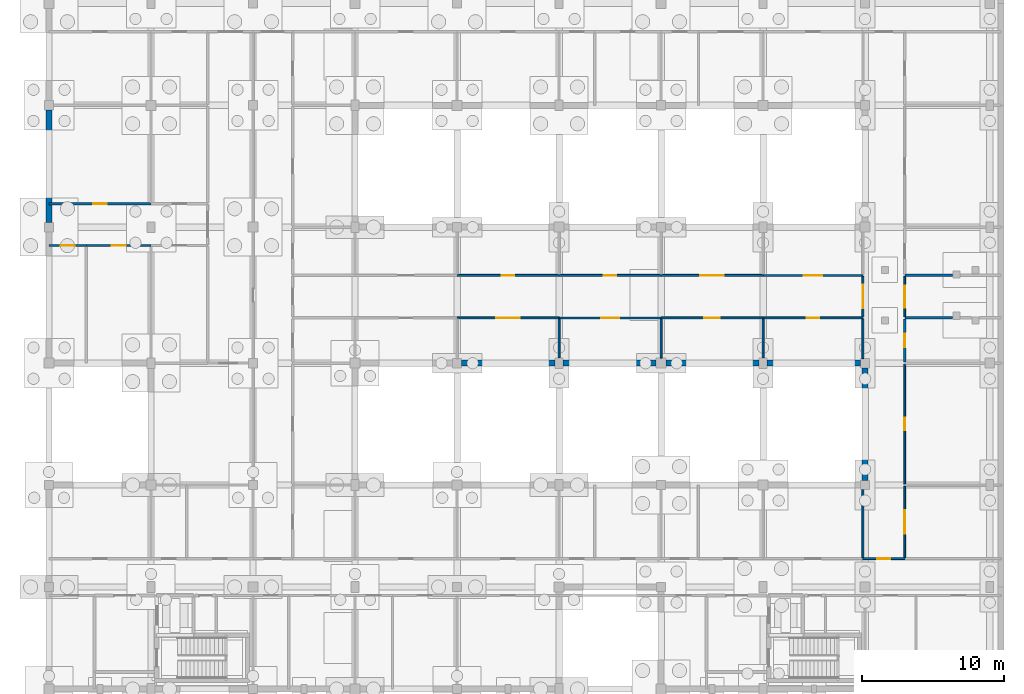
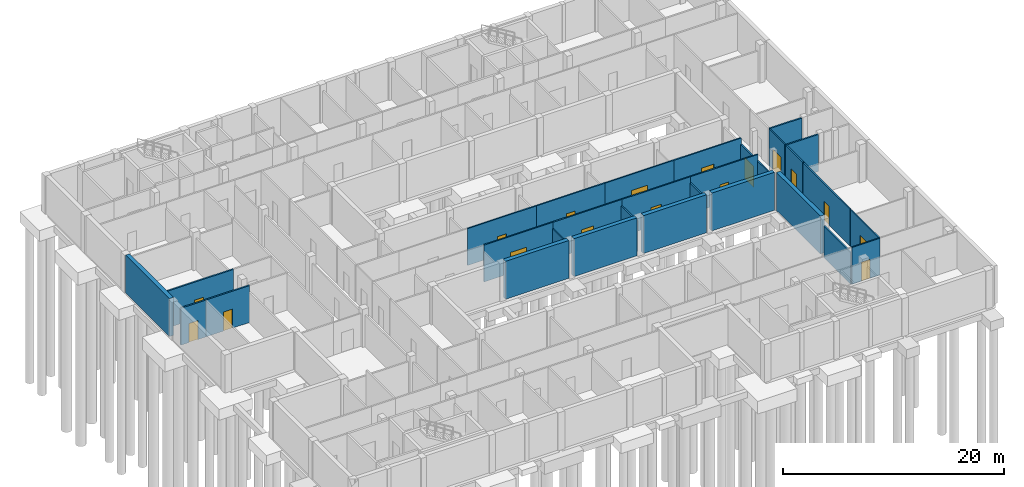
# One storey, part 10 of 17: 30 walls, 17 doors, 17 openings.
"""IFC4 building model written with IfcOpenShell, lengths in metres."""

from ifc_helpers import new_model, si_unit, direction, frame, frame_2d, origin, place, context, subcontext, project, spatial, rectangle, extrude, material, layer, layer_set, type_object, element, fill, save


model = new_model("IFC4")

# Units and contexts
model_context = context("Model", 3, precision=1e-05, world=origin(), true_north=direction((0.0, 1.0)))
body_context = subcontext(model_context, "Body", "Model", "MODEL_VIEW")
ifc_project = project(units=[si_unit("LENGTHUNIT", "METRE"), si_unit("AREAUNIT", "SQUARE_METRE"), si_unit("VOLUMEUNIT", "CUBIC_METRE"), si_unit("PLANEANGLEUNIT", "RADIAN"), si_unit("MASSUNIT", "GRAM", prefix="KILO")], contexts=[model_context])

# Site, building, storey
site_placement = place(None, origin())
site = spatial("IfcSite", under=ifc_project, at=site_placement, CompositionType="ELEMENT")
building_placement = place(site_placement, origin())
building = spatial("IfcBuilding", under=site, at=building_placement, Name="Hawrajan Terrace Health Centre", CompositionType="ELEMENT")
storey_placement = place(building_placement, frame((0.0, 0.0, -4.5)))
storey = spatial("IfcBuildingStorey", under=building, at=storey_placement, Name="B1", CompositionType="ELEMENT", Elevation=-4.5)

# Wall, opening, door
ifc_material_1 = material(Name="Gypsum board on acoustic stud framing")
ifc_layer_1 = layer(ifc_material_1, 0.139892578125)
ifc_layer_set_1 = layer_set([ifc_layer_1], Name="Gypsum board on acoustic stud framing")
wall_type_1 = type_object("IfcWallType", Name="ClinicalAcousticWall_140", PredefinedType="PARTITIONING", material=ifc_layer_set_1)
wall_1_placement = place(storey_placement, frame((33.39990234375, 30.39990234375, 0.0), z_axis=(0.0, 0.0, 1.0), x_axis=(1.0, 0.0, 0.0)))
wall_1 = element("IfcWall", 1, at=wall_1_placement, inside=storey, type_object=wall_type_1, Name="Interior wall IW-B1-0084", PredefinedType="PARTITIONING", context=body_context, shape_type="SweptSolid", body=[
    extrude(rectangle(XDim=7.2001953125, YDim=0.139892578125, at=frame_2d((3.60009765625, 0.0))), origin(), (0.0, 0.0, 1.0), 4.080078125),
])
opening_1_placement = place(wall_1_placement, frame((2.77001953125, 0.0, 0.0)))
opening_1 = element("IfcOpeningElement", 2, at=opening_1_placement, cuts=wall_1, Name="Opening D-B1-032", PredefinedType="OPENING", context=body_context, shape_type="SweptSolid", body=[
    extrude(rectangle(XDim=1.659912109375, YDim=2.300048828125, at=frame_2d((0.830078125, 1.14990234375))), frame((0.0, 0.079833984375, 0.0), z_axis=(0.0, -1.0, 0.0), x_axis=(1.0, 0.0, 0.0)), (0.0, 0.0, 1.0), 0.159912109375),
])
ifc_material_2 = material(Name="Hardwood acoustic clinical door leaf and frame", Category="wood")
door_type_1 = type_object("IfcDoorType", Name="RehabGymDoor_1660x2300", OperationType="DOUBLE_DOOR_SINGLE_SWING", PredefinedType="DOOR", material=ifc_material_2)
door_1_placement = place(opening_1_placement, origin())
door_1 = element("IfcDoor", 3, at=door_1_placement, inside=storey, type_object=door_type_1, Name="Interior door D-B1-032", OperationType="DOUBLE_DOOR_SINGLE_SWING", OverallHeight=2.300048828125, OverallWidth=1.659912109375, PredefinedType="DOOR", context=body_context, shape_type="SweptSolid", body=[
    extrude(rectangle(XDim=1.659912109375, YDim=2.300048828125, at=frame_2d((0.830078125, 1.14990234375))), frame((0.0, 0.02490234375, 0.0), z_axis=(0.0, -1.0, 0.0), x_axis=(1.0, 0.0, 0.0)), (0.0, 0.0, 1.0), 0.050048828125),
])
fill(opening_1, door_1)

wall_2_placement = place(storey_placement, frame((33.39990234375, 33.39990234375, 0.0), z_axis=(0.0, 0.0, 1.0), x_axis=(1.0, 0.0, 0.0)))
wall_2 = element("IfcWall", 4, at=wall_2_placement, inside=storey, type_object=wall_type_1, Name="Interior wall IW-B1-0086", PredefinedType="PARTITIONING", context=body_context, shape_type="SweptSolid", body=[
    extrude(rectangle(XDim=7.2001953125, YDim=0.139892578125, at=frame_2d((3.60009765625, 0.0))), origin(), (0.0, 0.0, 1.0), 4.080078125),
])
opening_2_placement = place(wall_2_placement, frame((3.14990234375, 0.0, 0.0)))
opening_2 = element("IfcOpeningElement", 5, at=opening_2_placement, cuts=wall_2, Name="Opening D-B1-033", PredefinedType="OPENING", context=body_context, shape_type="SweptSolid", body=[
    extrude(rectangle(XDim=0.89990234375, YDim=2.10009765625, at=frame_2d((0.449951171875, 1.050048828125))), frame((0.0, 0.079833984375, 0.0), z_axis=(0.0, -1.0, 0.0), x_axis=(1.0, 0.0, 0.0)), (0.0, 0.0, 1.0), 0.159912109375),
])
door_type_2 = type_object("IfcDoorType", Name="PatientWCDoor_900x2100", OperationType="NOTDEFINED", PredefinedType="DOOR", material=ifc_material_2)
door_2_placement = place(opening_2_placement, origin())
door_2 = element("IfcDoor", 6, at=door_2_placement, inside=storey, type_object=door_type_2, Name="Interior door D-B1-033", OperationType="SINGLE_SWING_LEFT", OverallHeight=2.10009765625, OverallWidth=0.89990234375, PredefinedType="DOOR", context=body_context, shape_type="SweptSolid", body=[
    extrude(rectangle(XDim=0.89990234375, YDim=2.10009765625, at=frame_2d((0.449951171875, 1.050048828125))), frame((0.0, 0.02490234375, 0.0), z_axis=(0.0, -1.0, 0.0), x_axis=(1.0, 0.0, 0.0)), (0.0, 0.0, 1.0), 0.050048828125),
])
fill(opening_2, door_2)

# Wall
wall_3_placement = place(storey_placement, frame((40.60009765625, 27.574951171875, 0.0), z_axis=(0.0, 0.0, 1.0), x_axis=(0.0, 1.0, 0.0)))
element("IfcWall", 7, at=wall_3_placement, inside=storey, type_object=wall_type_1, Name="Interior wall IW-B1-0095", PredefinedType="PARTITIONING", context=body_context, shape_type="SweptSolid", body=[
    extrude(rectangle(XDim=2.755126953125, YDim=0.139892578125, at=frame_2d((1.37744140625, 0.0))), origin(), (0.0, 0.0, 1.0), 3.39990234375),
])

# Wall, opening, door
wall_4_placement = place(storey_placement, frame((40.60009765625, 30.39990234375, 0.0), z_axis=(0.0, 0.0, 1.0), x_axis=(1.0, 0.0, 0.0)))
wall_4 = element("IfcWall", 8, at=wall_4_placement, inside=storey, type_object=wall_type_1, Name="Interior wall IW-B1-0096", PredefinedType="PARTITIONING", context=body_context, shape_type="SweptSolid", body=[
    extrude(rectangle(XDim=7.199951171875, YDim=0.139892578125, at=frame_2d((3.60009765625, 0.0))), origin(), (0.0, 0.0, 1.0), 4.080078125),
])
opening_3_placement = place(wall_4_placement, frame((2.9599609375, 0.0, 0.0)))
opening_3 = element("IfcOpeningElement", 9, at=opening_3_placement, cuts=wall_4, Name="Opening D-B1-034", PredefinedType="OPENING", context=body_context, shape_type="SweptSolid", body=[
    extrude(rectangle(XDim=1.280029296875, YDim=2.199951171875, at=frame_2d((0.64013671875, 1.10009765625))), frame((0.0, 0.079833984375, 0.0), z_axis=(0.0, -1.0, 0.0), x_axis=(1.0, 0.0, 0.0)), (0.0, 0.0, 1.0), 0.159912109375),
])
door_type_3 = type_object("IfcDoorType", Name="ExamSuiteDoor_1280x2200", OperationType="NOTDEFINED", PredefinedType="DOOR", material=ifc_material_2)
door_3_placement = place(opening_3_placement, origin())
door_3 = element("IfcDoor", 10, at=door_3_placement, inside=storey, type_object=door_type_3, Name="Interior door D-B1-034", OperationType="SINGLE_SWING_RIGHT", OverallHeight=2.199951171875, OverallWidth=1.280029296875, PredefinedType="DOOR", context=body_context, shape_type="SweptSolid", body=[
    extrude(rectangle(XDim=1.280029296875, YDim=2.199951171875, at=frame_2d((0.64013671875, 1.10009765625))), frame((0.0, 0.02490234375, 0.0), z_axis=(0.0, -1.0, 0.0), x_axis=(1.0, 0.0, 0.0)), (0.0, 0.0, 1.0), 0.050048828125),
])
fill(opening_3, door_3)

wall_5_placement = place(storey_placement, frame((40.60009765625, 33.39990234375, 0.0), z_axis=(0.0, 0.0, 1.0), x_axis=(1.0, 0.0, 0.0)))
wall_5 = element("IfcWall", 11, at=wall_5_placement, inside=storey, type_object=wall_type_1, Name="Interior wall IW-B1-0098", PredefinedType="PARTITIONING", context=body_context, shape_type="SweptSolid", body=[
    extrude(rectangle(XDim=7.199951171875, YDim=0.139892578125, at=frame_2d((3.60009765625, 0.0))), origin(), (0.0, 0.0, 1.0), 4.080078125),
])
opening_4_placement = place(wall_5_placement, frame((3.14990234375, 0.0, 0.0)))
opening_4 = element("IfcOpeningElement", 12, at=opening_4_placement, cuts=wall_5, Name="Opening D-B1-035", PredefinedType="OPENING", context=body_context, shape_type="SweptSolid", body=[
    extrude(rectangle(XDim=0.89990234375, YDim=2.10009765625, at=frame_2d((0.449951171875, 1.050048828125))), frame((0.0, 0.079833984375, 0.0), z_axis=(0.0, -1.0, 0.0), x_axis=(1.0, 0.0, 0.0)), (0.0, 0.0, 1.0), 0.159912109375),
])
door_4_placement = place(opening_4_placement, origin())
door_4 = element("IfcDoor", 13, at=door_4_placement, inside=storey, type_object=door_type_2, Name="Interior door D-B1-035", OperationType="SINGLE_SWING_LEFT", OverallHeight=2.10009765625, OverallWidth=0.89990234375, PredefinedType="DOOR", context=body_context, shape_type="SweptSolid", body=[
    extrude(rectangle(XDim=0.89990234375, YDim=2.10009765625, at=frame_2d((0.449951171875, 1.050048828125))), frame((0.0, 0.02490234375, 0.0), z_axis=(0.0, -1.0, 0.0), x_axis=(1.0, 0.0, 0.0)), (0.0, 0.0, 1.0), 0.050048828125),
])
fill(opening_4, door_4)

# Wall
wall_6_placement = place(storey_placement, frame((47.800048828125, 27.550048828125, 0.0), z_axis=(0.0, 0.0, 1.0), x_axis=(0.0, 1.0, 0.0)))
element("IfcWall", 14, at=wall_6_placement, inside=storey, type_object=wall_type_1, Name="Interior wall IW-B1-0112", PredefinedType="PARTITIONING", context=body_context, shape_type="SweptSolid", body=[
    extrude(rectangle(XDim=2.780029296875, YDim=0.139892578125, at=frame_2d((1.39013671875, 0.0))), origin(), (0.0, 0.0, 1.0), 3.39990234375),
])

# Wall, opening, door
wall_7_placement = place(storey_placement, frame((47.800048828125, 30.39990234375, 0.0), z_axis=(0.0, 0.0, 1.0), x_axis=(1.0, 0.0, 0.0)))
wall_7 = element("IfcWall", 15, at=wall_7_placement, inside=storey, type_object=wall_type_1, Name="Interior wall IW-B1-0113", PredefinedType="PARTITIONING", context=body_context, shape_type="SweptSolid", body=[
    extrude(rectangle(XDim=7.199951171875, YDim=0.139892578125, at=frame_2d((3.60009765625, 0.0))), origin(), (0.0, 0.0, 1.0), 4.080078125),
])
opening_5_placement = place(wall_7_placement, frame((3.050048828125, 0.0, 0.0)))
opening_5 = element("IfcOpeningElement", 16, at=opening_5_placement, cuts=wall_7, Name="Opening D-B1-036", PredefinedType="OPENING", context=body_context, shape_type="SweptSolid", body=[
    extrude(rectangle(XDim=1.10009765625, YDim=2.10009765625, at=frame_2d((0.550048828125, 1.050048828125))), frame((0.0, 0.079833984375, 0.0), z_axis=(0.0, -1.0, 0.0), x_axis=(1.0, 0.0, 0.0)), (0.0, 0.0, 1.0), 0.159912109375),
])
door_type_4 = type_object("IfcDoorType", Name="ConsultDoor_1100x2100", OperationType="NOTDEFINED", PredefinedType="DOOR", material=ifc_material_2)
door_5_placement = place(opening_5_placement, origin())
door_5 = element("IfcDoor", 17, at=door_5_placement, inside=storey, type_object=door_type_4, Name="Interior door D-B1-036", OperationType="SINGLE_SWING_RIGHT", OverallHeight=2.10009765625, OverallWidth=1.10009765625, PredefinedType="DOOR", context=body_context, shape_type="SweptSolid", body=[
    extrude(rectangle(XDim=1.10009765625, YDim=2.10009765625, at=frame_2d((0.550048828125, 1.050048828125))), frame((0.0, 0.02490234375, 0.0), z_axis=(0.0, -1.0, 0.0), x_axis=(1.0, 0.0, 0.0)), (0.0, 0.0, 1.0), 0.050048828125),
])
fill(opening_5, door_5)

wall_8_placement = place(storey_placement, frame((47.800048828125, 33.39990234375, 0.0), z_axis=(0.0, 0.0, 1.0), x_axis=(1.0, 0.0, 0.0)))
wall_8 = element("IfcWall", 18, at=wall_8_placement, inside=storey, type_object=wall_type_1, Name="Interior wall IW-B1-0115", PredefinedType="PARTITIONING", context=body_context, shape_type="SweptSolid", body=[
    extrude(rectangle(XDim=7.199951171875, YDim=0.139892578125, at=frame_2d((3.60009765625, 0.0))), origin(), (0.0, 0.0, 1.0), 4.080078125),
])
opening_6_placement = place(wall_8_placement, frame((2.77001953125, 0.0, 0.0)))
opening_6 = element("IfcOpeningElement", 19, at=opening_6_placement, cuts=wall_8, Name="Opening D-B1-037", PredefinedType="OPENING", context=body_context, shape_type="SweptSolid", body=[
    extrude(rectangle(XDim=1.659912109375, YDim=2.300048828125, at=frame_2d((0.830078125, 1.14990234375))), frame((0.0, 0.079833984375, 0.0), z_axis=(0.0, -1.0, 0.0), x_axis=(1.0, 0.0, 0.0)), (0.0, 0.0, 1.0), 0.159912109375),
])
door_6_placement = place(opening_6_placement, origin())
door_6 = element("IfcDoor", 20, at=door_6_placement, inside=storey, type_object=door_type_1, Name="Interior door D-B1-037", OperationType="DOUBLE_DOOR_SINGLE_SWING", OverallHeight=2.300048828125, OverallWidth=1.659912109375, PredefinedType="DOOR", context=body_context, shape_type="SweptSolid", body=[
    extrude(rectangle(XDim=1.659912109375, YDim=2.300048828125, at=frame_2d((0.830078125, 1.14990234375))), frame((0.0, 0.02490234375, 0.0), z_axis=(0.0, -1.0, 0.0), x_axis=(1.0, 0.0, 0.0)), (0.0, 0.0, 1.0), 0.050048828125),
])
fill(opening_6, door_6)

# Wall
wall_9_placement = place(storey_placement, frame((55.0, 27.574951171875, 0.0), z_axis=(0.0, 0.0, 1.0), x_axis=(0.0, 1.0, 0.0)))
element("IfcWall", 21, at=wall_9_placement, inside=storey, type_object=wall_type_1, Name="Interior wall IW-B1-0127", PredefinedType="PARTITIONING", context=body_context, shape_type="SweptSolid", body=[
    extrude(rectangle(XDim=2.755126953125, YDim=0.139892578125, at=frame_2d((1.37744140625, 0.0))), origin(), (0.0, 0.0, 1.0), 3.39990234375),
])

# Wall, opening, door
wall_10_placement = place(storey_placement, frame((55.0, 30.39990234375, 0.0), z_axis=(0.0, 0.0, 1.0), x_axis=(1.0, 0.0, 0.0)))
wall_10 = element("IfcWall", 22, at=wall_10_placement, inside=storey, type_object=wall_type_1, Name="Interior wall IW-B1-0128", PredefinedType="PARTITIONING", context=body_context, shape_type="SweptSolid", body=[
    extrude(rectangle(XDim=7.050048828125, YDim=0.139892578125, at=frame_2d((3.52490234375, 0.0))), origin(), (0.0, 0.0, 1.0), 4.080078125),
])
opening_7_placement = place(wall_10_placement, frame((3.074951171875, 0.0, 0.0)))
opening_7 = element("IfcOpeningElement", 23, at=opening_7_placement, cuts=wall_10, Name="Opening D-B1-038", PredefinedType="OPENING", context=body_context, shape_type="SweptSolid", body=[
    extrude(rectangle(XDim=0.89990234375, YDim=2.10009765625, at=frame_2d((0.449951171875, 1.050048828125))), frame((0.0, 0.079833984375, 0.0), z_axis=(0.0, -1.0, 0.0), x_axis=(1.0, 0.0, 0.0)), (0.0, 0.0, 1.0), 0.159912109375),
])
door_7_placement = place(opening_7_placement, origin())
door_7 = element("IfcDoor", 24, at=door_7_placement, inside=storey, type_object=door_type_2, Name="Interior door D-B1-038", OperationType="SINGLE_SWING_RIGHT", OverallHeight=2.10009765625, OverallWidth=0.89990234375, PredefinedType="DOOR", context=body_context, shape_type="SweptSolid", body=[
    extrude(rectangle(XDim=0.89990234375, YDim=2.10009765625, at=frame_2d((0.449951171875, 1.050048828125))), frame((0.0, 0.02490234375, 0.0), z_axis=(0.0, -1.0, 0.0), x_axis=(1.0, 0.0, 0.0)), (0.0, 0.0, 1.0), 0.050048828125),
])
fill(opening_7, door_7)

wall_11_placement = place(storey_placement, frame((55.0, 33.39990234375, 0.0), z_axis=(0.0, 0.0, 1.0), x_axis=(1.0, 0.0, 0.0)))
wall_11 = element("IfcWall", 25, at=wall_11_placement, inside=storey, type_object=wall_type_1, Name="Interior wall IW-B1-0130", PredefinedType="PARTITIONING", context=body_context, shape_type="SweptSolid", body=[
    extrude(rectangle(XDim=7.050048828125, YDim=0.139892578125, at=frame_2d((3.52490234375, 0.0))), origin(), (0.0, 0.0, 1.0), 4.080078125),
])
opening_8_placement = place(wall_11_placement, frame((2.885009765625, 0.0, 0.0)))
opening_8 = element("IfcOpeningElement", 26, at=opening_8_placement, cuts=wall_11, Name="Opening D-B1-039", PredefinedType="OPENING", context=body_context, shape_type="SweptSolid", body=[
    extrude(rectangle(XDim=1.280029296875, YDim=2.199951171875, at=frame_2d((0.64013671875, 1.10009765625))), frame((0.0, 0.079833984375, 0.0), z_axis=(0.0, -1.0, 0.0), x_axis=(1.0, 0.0, 0.0)), (0.0, 0.0, 1.0), 0.159912109375),
])
door_8_placement = place(opening_8_placement, origin())
door_8 = element("IfcDoor", 27, at=door_8_placement, inside=storey, type_object=door_type_3, Name="Interior door D-B1-039", OperationType="SINGLE_SWING_LEFT", OverallHeight=2.199951171875, OverallWidth=1.280029296875, PredefinedType="DOOR", context=body_context, shape_type="SweptSolid", body=[
    extrude(rectangle(XDim=1.280029296875, YDim=2.199951171875, at=frame_2d((0.64013671875, 1.10009765625))), frame((0.0, 0.02490234375, 0.0), z_axis=(0.0, -1.0, 0.0), x_axis=(1.0, 0.0, 0.0)), (0.0, 0.0, 1.0), 0.050048828125),
])
fill(opening_8, door_8)

# Wall
wall_12_placement = place(storey_placement, frame((62.050048828125, 13.469970703125, 0.0), z_axis=(0.0, 0.0, 1.0), x_axis=(0.0, 1.0, 0.0)))
element("IfcWall", 28, at=wall_12_placement, inside=storey, type_object=wall_type_1, Name="Interior wall IW-B1-0135", PredefinedType="PARTITIONING", context=body_context, shape_type="SweptSolid", body=[
    extrude(rectangle(XDim=4.804931640625, YDim=0.139892578125, at=frame_2d((2.40234375, 0.0))), origin(), (0.0, 0.0, 1.0), 3.5),
])

# Wall, opening, door
wall_13_placement = place(storey_placement, frame((62.050048828125, 13.39990234375, 0.0), z_axis=(0.0, 0.0, 1.0), x_axis=(1.0, 0.0, 0.0)))
wall_13 = element("IfcWall", 29, at=wall_13_placement, inside=storey, type_object=wall_type_1, Name="Interior wall IW-B1-0136", PredefinedType="PARTITIONING", context=body_context, shape_type="SweptSolid", body=[
    extrude(rectangle(XDim=2.949951171875, YDim=0.139892578125, at=frame_2d((1.47509765625, 0.0))), origin(), (0.0, 0.0, 1.0), 4.080078125),
])
opening_9_placement = place(wall_13_placement, frame((1.02490234375, 0.0, 0.0)))
opening_9 = element("IfcOpeningElement", 30, at=opening_9_placement, cuts=wall_13, Name="Opening D-B1-017", PredefinedType="OPENING", context=body_context, shape_type="SweptSolid", body=[
    extrude(rectangle(XDim=0.89990234375, YDim=2.10009765625, at=frame_2d((0.449951171875, 1.050048828125))), frame((0.0, 0.079833984375, 0.0), z_axis=(0.0, -1.0, 0.0), x_axis=(1.0, 0.0, 0.0)), (0.0, 0.0, 1.0), 0.159912109375),
])
door_9_placement = place(opening_9_placement, origin())
door_9 = element("IfcDoor", 31, at=door_9_placement, inside=storey, type_object=door_type_2, Name="Interior door D-B1-017", OperationType="SINGLE_SWING_LEFT", OverallHeight=2.10009765625, OverallWidth=0.89990234375, PredefinedType="DOOR", context=body_context, shape_type="SweptSolid", body=[
    extrude(rectangle(XDim=0.89990234375, YDim=2.10009765625, at=frame_2d((0.449951171875, 1.050048828125))), frame((0.0, 0.02490234375, 0.0), z_axis=(0.0, -1.0, 0.0), x_axis=(1.0, 0.0, 0.0)), (0.0, 0.0, 1.0), 0.050048828125),
])
fill(opening_9, door_9)

# Wall
wall_14_placement = place(storey_placement, frame((62.050048828125, 27.52490234375, 0.0), z_axis=(0.0, 0.0, 1.0), x_axis=(0.0, 1.0, 0.0)))
element("IfcWall", 32, at=wall_14_placement, inside=storey, type_object=wall_type_1, Name="Interior wall IW-B1-0137", PredefinedType="PARTITIONING", context=body_context, shape_type="SweptSolid", body=[
    extrude(rectangle(XDim=2.80517578125, YDim=0.139892578125, at=frame_2d((1.402587890625, 0.0))), origin(), (0.0, 0.0, 1.0), 3.39990234375),
])

# Wall, opening, door
wall_15_placement = place(storey_placement, frame((62.050048828125, 30.469970703125, 0.0), z_axis=(0.0, 0.0, 1.0), x_axis=(0.0, 1.0, 0.0)))
wall_15 = element("IfcWall", 33, at=wall_15_placement, inside=storey, type_object=wall_type_1, Name="Interior wall IW-B1-0138", PredefinedType="PARTITIONING", context=body_context, shape_type="SweptSolid", body=[
    extrude(rectangle(XDim=2.860107421875, YDim=0.139892578125, at=frame_2d((1.43017578125, 0.0))), origin(), (0.0, 0.0, 1.0), 3.39990234375),
])
opening_10_placement = place(wall_15_placement, frame((0.60009765625, 0.0, 0.0)))
opening_10 = element("IfcOpeningElement", 34, at=opening_10_placement, cuts=wall_15, Name="Opening D-B1-019", PredefinedType="OPENING", context=body_context, shape_type="SweptSolid", body=[
    extrude(rectangle(XDim=1.659912109375, YDim=2.300048828125, at=frame_2d((0.830078125, 1.14990234375))), frame((0.0, 0.079833984375, 0.0), z_axis=(0.0, -1.0, 0.0), x_axis=(1.0, 0.0, 0.0)), (0.0, 0.0, 1.0), 0.159912109375),
])
door_10_placement = place(opening_10_placement, origin())
door_10 = element("IfcDoor", 35, at=door_10_placement, inside=storey, type_object=door_type_1, Name="Interior door D-B1-019", OperationType="DOUBLE_DOOR_SINGLE_SWING", OverallHeight=2.300048828125, OverallWidth=1.659912109375, PredefinedType="DOOR", context=body_context, shape_type="SweptSolid", body=[
    extrude(rectangle(XDim=1.659912109375, YDim=2.300048828125, at=frame_2d((0.830078125, 1.14990234375))), frame((0.0, 0.02490234375, 0.0), z_axis=(0.0, -1.0, 0.0), x_axis=(1.0, 0.0, 0.0)), (0.0, 0.0, 1.0), 0.050048828125),
])
fill(opening_10, door_10)

wall_16_placement = place(storey_placement, frame((65.0, 13.469970703125, 0.0), z_axis=(0.0, 0.0, 1.0), x_axis=(0.0, 1.0, 0.0)))
wall_16 = element("IfcWall", 36, at=wall_16_placement, inside=storey, type_object=wall_type_1, Name="Interior wall IW-B1-0145", PredefinedType="PARTITIONING", context=body_context, shape_type="SweptSolid", body=[
    extrude(rectangle(XDim=5.06005859375, YDim=0.139892578125, at=frame_2d((2.530029296875, 0.0))), origin(), (0.0, 0.0, 1.0), 4.080078125),
])
opening_11_placement = place(wall_16_placement, frame((1.699951171875, 0.0, 0.0)))
opening_11 = element("IfcOpeningElement", 37, at=opening_11_placement, cuts=wall_16, Name="Opening D-B1-072", PredefinedType="OPENING", context=body_context, shape_type="SweptSolid", body=[
    extrude(rectangle(XDim=1.659912109375, YDim=2.300048828125, at=frame_2d((0.830078125, 1.14990234375))), frame((0.0, 0.079833984375, 0.0), z_axis=(0.0, -1.0, 0.0), x_axis=(1.0, 0.0, 0.0)), (0.0, 0.0, 1.0), 0.159912109375),
])
door_11_placement = place(opening_11_placement, origin())
door_11 = element("IfcDoor", 38, at=door_11_placement, inside=storey, type_object=door_type_1, Name="Interior door D-B1-072", OperationType="DOUBLE_DOOR_SINGLE_SWING", OverallHeight=2.300048828125, OverallWidth=1.659912109375, PredefinedType="DOOR", context=body_context, shape_type="SweptSolid", body=[
    extrude(rectangle(XDim=1.659912109375, YDim=2.300048828125, at=frame_2d((0.830078125, 1.14990234375))), frame((0.0, 0.02490234375, 0.0), z_axis=(0.0, -1.0, 0.0), x_axis=(1.0, 0.0, 0.0)), (0.0, 0.0, 1.0), 0.050048828125),
])
fill(opening_11, door_11)

wall_17_placement = place(storey_placement, frame((65.0, 18.669921875, 0.0), z_axis=(0.0, 0.0, 1.0), x_axis=(0.0, 1.0, 0.0)))
wall_17 = element("IfcWall", 39, at=wall_17_placement, inside=storey, type_object=wall_type_1, Name="Interior wall IW-B1-0147", PredefinedType="PARTITIONING", context=body_context, shape_type="SweptSolid", body=[
    extrude(rectangle(XDim=8.4599609375, YDim=0.139892578125, at=frame_2d((4.22998046875, 0.0))), origin(), (0.0, 0.0, 1.0), 4.080078125),
])
opening_12_placement = place(wall_17_placement, frame((3.780029296875, 0.0, 0.0)))
opening_12 = element("IfcOpeningElement", 40, at=opening_12_placement, cuts=wall_17, Name="Opening D-B1-073", PredefinedType="OPENING", context=body_context, shape_type="SweptSolid", body=[
    extrude(rectangle(XDim=0.89990234375, YDim=2.10009765625, at=frame_2d((0.449951171875, 1.050048828125))), frame((0.0, 0.079833984375, 0.0), z_axis=(0.0, -1.0, 0.0), x_axis=(1.0, 0.0, 0.0)), (0.0, 0.0, 1.0), 0.159912109375),
])
door_12_placement = place(opening_12_placement, origin())
door_12 = element("IfcDoor", 41, at=door_12_placement, inside=storey, type_object=door_type_2, Name="Interior door D-B1-073", OperationType="SINGLE_SWING_LEFT", OverallHeight=2.10009765625, OverallWidth=0.89990234375, PredefinedType="DOOR", context=body_context, shape_type="SweptSolid", body=[
    extrude(rectangle(XDim=0.89990234375, YDim=2.10009765625, at=frame_2d((0.449951171875, 1.050048828125))), frame((0.0, 0.02490234375, 0.0), z_axis=(0.0, -1.0, 0.0), x_axis=(1.0, 0.0, 0.0)), (0.0, 0.0, 1.0), 0.050048828125),
])
fill(opening_12, door_12)

wall_18_placement = place(storey_placement, frame((65.0, 30.469970703125, 0.0), z_axis=(0.0, 0.0, 1.0), x_axis=(0.0, 1.0, 0.0)))
wall_18 = element("IfcWall", 42, at=wall_18_placement, inside=storey, type_object=wall_type_1, Name="Interior wall IW-B1-0153", PredefinedType="PARTITIONING", context=body_context, shape_type="SweptSolid", body=[
    extrude(rectangle(XDim=2.860107421875, YDim=0.139892578125, at=frame_2d((1.43017578125, 0.0))), origin(), (0.0, 0.0, 1.0), 4.080078125),
])
opening_13_placement = place(wall_18_placement, frame((0.659912109375, 0.0, 0.0)))
opening_13 = element("IfcOpeningElement", 43, at=opening_13_placement, cuts=wall_18, Name="Opening D-B1-020", PredefinedType="OPENING", context=body_context, shape_type="SweptSolid", body=[
    extrude(rectangle(XDim=1.5400390625, YDim=2.25, at=frame_2d((0.77001953125, 1.125))), frame((0.0, 0.079833984375, 0.0), z_axis=(0.0, -1.0, 0.0), x_axis=(1.0, 0.0, 0.0)), (0.0, 0.0, 1.0), 0.159912109375),
])
door_type_5 = type_object("IfcDoorType", Name="RecoveryBayDoor_1540x2250", OperationType="DOUBLE_DOOR_SINGLE_SWING", PredefinedType="DOOR", material=ifc_material_2)
door_13_placement = place(opening_13_placement, origin())
door_13 = element("IfcDoor", 44, at=door_13_placement, inside=storey, type_object=door_type_5, Name="Interior door D-B1-020", OperationType="DOUBLE_DOOR_SINGLE_SWING", OverallHeight=2.25, OverallWidth=1.5400390625, PredefinedType="DOOR", context=body_context, shape_type="SweptSolid", body=[
    extrude(rectangle(XDim=1.5400390625, YDim=2.25, at=frame_2d((0.77001953125, 1.125))), frame((0.0, 0.02490234375, 0.0), z_axis=(0.0, -1.0, 0.0), x_axis=(1.0, 0.0, 0.0)), (0.0, 0.0, 1.0), 0.050048828125),
])
fill(opening_13, door_13)

ifc_layer_2 = layer(ifc_material_1, 0.159912109375)
ifc_layer_set_2 = layer_set([ifc_layer_2], Name="Gypsum board on acoustic stud framing")
wall_type_2 = type_object("IfcWallType", Name="CorridorFireWall_160", PredefinedType="PARTITIONING", material=ifc_layer_set_2)
wall_19_placement = place(storey_placement, frame((4.60009765625, 35.5, 0.0), z_axis=(0.0, 0.0, 1.0), x_axis=(1.0, 0.0, 0.0)))
wall_19 = element("IfcWall", 45, at=wall_19_placement, inside=storey, type_object=wall_type_2, Name="Interior wall IW-B1-0003", PredefinedType="PARTITIONING", context=body_context, shape_type="SweptSolid", body=[
    extrude(rectangle(XDim=2.635009765625, YDim=0.159912109375, at=frame_2d((1.3173828125, 0.0))), origin(), (0.0, 0.0, 1.0), 4.080078125),
])
opening_14_placement = place(wall_19_placement, frame((0.83740234375, 0.0, 0.0)))
opening_14 = element("IfcOpeningElement", 46, at=opening_14_placement, cuts=wall_19, Name="Opening D-B1-040", PredefinedType="OPENING", context=body_context, shape_type="SweptSolid", body=[
    extrude(rectangle(XDim=0.9599609375, YDim=2.10009765625, at=frame_2d((0.47998046875, 1.050048828125))), frame((0.0, 0.08984375, 0.0), z_axis=(0.0, -1.0, 0.0), x_axis=(1.0, 0.0, 0.0)), (0.0, 0.0, 1.0), 0.179931640625),
])
ifc_material_3 = material(Name="Timber-veneered acoustic fire-resisting door assembly", Category="wood")
door_type_6 = type_object("IfcDoorType", Name="ClinicalFireDoor_960x2100", OperationType="NOTDEFINED", PredefinedType="DOOR", material=ifc_material_3)
door_14_placement = place(opening_14_placement, origin())
door_14 = element("IfcDoor", 47, at=door_14_placement, inside=storey, type_object=door_type_6, Name="Interior door D-B1-040", OperationType="SINGLE_SWING_RIGHT", OverallHeight=2.10009765625, OverallWidth=0.9599609375, PredefinedType="DOOR", context=body_context, shape_type="SweptSolid", body=[
    extrude(rectangle(XDim=0.9599609375, YDim=2.10009765625, at=frame_2d((0.47998046875, 1.050048828125))), frame((0.0, 0.02490234375, 0.0), z_axis=(0.0, -1.0, 0.0), x_axis=(1.0, 0.0, 0.0)), (0.0, 0.0, 1.0), 0.050048828125),
])
fill(opening_14, door_14)

wall_20_placement = place(storey_placement, frame((4.60009765625, 38.449951171875, 0.0), z_axis=(0.0, 0.0, 1.0), x_axis=(1.0, 0.0, 0.0)))
wall_20 = element("IfcWall", 48, at=wall_20_placement, inside=storey, type_object=wall_type_2, Name="Interior wall IW-B1-0004", PredefinedType="PARTITIONING", context=body_context, shape_type="SweptSolid", body=[
    extrude(rectangle(XDim=7.199951171875, YDim=0.159912109375, at=frame_2d((3.60009765625, 0.0))), origin(), (0.0, 0.0, 1.0), 4.080078125),
])
opening_15_placement = place(wall_20_placement, frame((3.1201171875, 0.0, 0.0)))
opening_15 = element("IfcOpeningElement", 49, at=opening_15_placement, cuts=wall_20, Name="Opening D-B1-042", PredefinedType="OPENING", context=body_context, shape_type="SweptSolid", body=[
    extrude(rectangle(XDim=0.9599609375, YDim=2.10009765625, at=frame_2d((0.47998046875, 1.050048828125))), frame((0.0, 0.08984375, 0.0), z_axis=(0.0, -1.0, 0.0), x_axis=(1.0, 0.0, 0.0)), (0.0, 0.0, 1.0), 0.179931640625),
])
door_15_placement = place(opening_15_placement, origin())
door_15 = element("IfcDoor", 50, at=door_15_placement, inside=storey, type_object=door_type_6, Name="Interior door D-B1-042", OperationType="SINGLE_SWING_RIGHT", OverallHeight=2.10009765625, OverallWidth=0.9599609375, PredefinedType="DOOR", context=body_context, shape_type="SweptSolid", body=[
    extrude(rectangle(XDim=0.9599609375, YDim=2.10009765625, at=frame_2d((0.47998046875, 1.050048828125))), frame((0.0, 0.02490234375, 0.0), z_axis=(0.0, -1.0, 0.0), x_axis=(1.0, 0.0, 0.0)), (0.0, 0.0, 1.0), 0.050048828125),
])
fill(opening_15, door_15)

wall_21_placement = place(storey_placement, frame((7.235107421875, 35.5, 0.0), z_axis=(0.0, 0.0, 1.0), x_axis=(1.0, 0.0, 0.0)))
wall_21 = element("IfcWall", 51, at=wall_21_placement, inside=storey, type_object=wall_type_2, Name="Interior wall IW-B1-0009", PredefinedType="PARTITIONING", context=body_context, shape_type="SweptSolid", body=[
    extrude(rectangle(XDim=4.56494140625, YDim=0.159912109375, at=frame_2d((2.282470703125, 0.0))), origin(), (0.0, 0.0, 1.0), 4.080078125),
])
opening_16_placement = place(wall_21_placement, frame((1.802490234375, 0.0, 0.0)))
opening_16 = element("IfcOpeningElement", 52, at=opening_16_placement, cuts=wall_21, Name="Opening D-B1-041", PredefinedType="OPENING", context=body_context, shape_type="SweptSolid", body=[
    extrude(rectangle(XDim=0.9599609375, YDim=2.10009765625, at=frame_2d((0.47998046875, 1.050048828125))), frame((0.0, 0.08984375, 0.0), z_axis=(0.0, -1.0, 0.0), x_axis=(1.0, 0.0, 0.0)), (0.0, 0.0, 1.0), 0.179931640625),
])
door_16_placement = place(opening_16_placement, origin())
door_16 = element("IfcDoor", 53, at=door_16_placement, inside=storey, type_object=door_type_6, Name="Interior door D-B1-041", OperationType="SINGLE_SWING_LEFT", OverallHeight=2.10009765625, OverallWidth=0.9599609375, PredefinedType="DOOR", context=body_context, shape_type="SweptSolid", body=[
    extrude(rectangle(XDim=0.9599609375, YDim=2.10009765625, at=frame_2d((0.47998046875, 1.050048828125))), frame((0.0, 0.02490234375, 0.0), z_axis=(0.0, -1.0, 0.0), x_axis=(1.0, 0.0, 0.0)), (0.0, 0.0, 1.0), 0.050048828125),
])
fill(opening_16, door_16)

wall_22_placement = place(storey_placement, frame((65.0, 27.27001953125, 0.0), z_axis=(0.0, 0.0, 1.0), x_axis=(0.0, 1.0, 0.0)))
wall_22 = element("IfcWall", 54, at=wall_22_placement, inside=storey, type_object=wall_type_2, Name="Interior wall IW-B1-0150", PredefinedType="PARTITIONING", context=body_context, shape_type="SweptSolid", body=[
    extrude(rectangle(XDim=3.06005859375, YDim=0.159912109375, at=frame_2d((1.530029296875, 0.0))), origin(), (0.0, 0.0, 1.0), 4.080078125),
])
opening_17_placement = place(wall_22_placement, frame((1.050048828125, 0.0, 0.0)))
opening_17 = element("IfcOpeningElement", 55, at=opening_17_placement, cuts=wall_22, Name="Opening D-B1-074", PredefinedType="OPENING", context=body_context, shape_type="SweptSolid", body=[
    extrude(rectangle(XDim=0.9599609375, YDim=2.10009765625, at=frame_2d((0.47998046875, 1.050048828125))), frame((0.0, 0.08984375, 0.0), z_axis=(0.0, -1.0, 0.0), x_axis=(1.0, 0.0, 0.0)), (0.0, 0.0, 1.0), 0.179931640625),
])
door_17_placement = place(opening_17_placement, origin())
door_17 = element("IfcDoor", 56, at=door_17_placement, inside=storey, type_object=door_type_6, Name="Interior door D-B1-074", OperationType="SINGLE_SWING_RIGHT", OverallHeight=2.10009765625, OverallWidth=0.9599609375, PredefinedType="DOOR", context=body_context, shape_type="SweptSolid", body=[
    extrude(rectangle(XDim=0.9599609375, YDim=2.10009765625, at=frame_2d((0.47998046875, 1.050048828125))), frame((0.0, 0.02490234375, 0.0), z_axis=(0.0, -1.0, 0.0), x_axis=(1.0, 0.0, 0.0)), (0.0, 0.0, 1.0), 0.050048828125),
])
fill(opening_17, door_17)

# Walls
for number, where, z_axis, x_axis, name in (
    (57, (65.0, 30.39990234375, 0.0), (0.0, 0.0, 1.0), (1.0, 0.0, 0.0), "Interior wall IW-B1-0154"),
    (58, (65.0, 33.39990234375, 0.0), (0.0, 0.0, 1.0), (1.0, 0.0, 0.0), "Interior wall IW-B1-0158"),
):
    element("IfcWall", number, at=place(storey_placement, frame(where, z_axis=z_axis, x_axis=x_axis)), inside=storey, type_object=wall_type_2, Name=name, PredefinedType="PARTITIONING", context=body_context, shape_type="SweptSolid", body=[
        extrude(rectangle(XDim=3.3701171875, YDim=0.159912109375, at=frame_2d((1.68505859375, 0.0))), origin(), (0.0, 0.0, 1.0), 4.080078125),
    ])
ifc_material_4 = material(Name="Concrete C40/50", Category="concrete")
ifc_layer_3 = layer(ifc_material_4, 0.419921875)
ifc_layer_set_3 = layer_set([ifc_layer_3], Name="Concrete C40/50")
wall_type_3 = type_object("IfcWallType", Name="RetainingWall_RC420", PredefinedType="USERDEFINED", material=ifc_layer_set_3)
wall_23_placement = place(storey_placement, frame((4.60009765625, 37.125, 0.0), z_axis=(0.0, 0.0, 1.0), x_axis=(0.0, 1.0, 0.0)))
element("IfcWall", 59, at=wall_23_placement, inside=storey, type_object=wall_type_3, Name="Exterior wall EW-B1-V00-04-1", ObjectType="RETAINING WALL", PredefinedType="USERDEFINED", context=body_context, shape_type="SweptSolid", body=[
    extrude(rectangle(XDim=7.949951171875, YDim=0.419921875, at=frame_2d((3.97509765625, 0.0))), origin(), (0.0, 0.0, 1.0), 4.199951171875),
])
wall_24_placement = place(storey_placement, frame((33.72509765625, 27.199951171875, 0.0), z_axis=(0.0, 0.0, 1.0), x_axis=(1.0, 0.0, 0.0)))
element("IfcWall", 60, at=wall_24_placement, inside=storey, type_object=wall_type_3, Name="Exterior wall EW-B1-H04-03-1", ObjectType="RETAINING WALL", PredefinedType="USERDEFINED", context=body_context, shape_type="SweptSolid", body=[
    extrude(rectangle(XDim=6.599853515625, YDim=0.419921875, at=frame_2d((3.2998046875, 0.0))), origin(), (0.0, 0.0, 1.0), 4.199951171875),
])
wall_25_placement = place(storey_placement, frame((40.875, 27.199951171875, 0.0), z_axis=(0.0, 0.0, 1.0), x_axis=(1.0, 0.0, 0.0)))
element("IfcWall", 61, at=wall_25_placement, inside=storey, type_object=wall_type_3, Name="Exterior wall EW-B1-H05-03-1", ObjectType="RETAINING WALL", PredefinedType="USERDEFINED", context=body_context, shape_type="SweptSolid", body=[
    extrude(rectangle(XDim=6.574951171875, YDim=0.419921875, at=frame_2d((3.28759765625, 0.0))), origin(), (0.0, 0.0, 1.0), 4.199951171875),
])
wall_26_placement = place(storey_placement, frame((48.14990234375, 27.199951171875, 0.0), z_axis=(0.0, 0.0, 1.0), x_axis=(1.0, 0.0, 0.0)))
element("IfcWall", 62, at=wall_26_placement, inside=storey, type_object=wall_type_3, Name="Exterior wall EW-B1-H06-03-1", ObjectType="RETAINING WALL", PredefinedType="USERDEFINED", context=body_context, shape_type="SweptSolid", body=[
    extrude(rectangle(XDim=6.5751953125, YDim=0.419921875, at=frame_2d((3.28759765625, 0.0))), origin(), (0.0, 0.0, 1.0), 4.199951171875),
])
wall_27_placement = place(storey_placement, frame((55.27490234375, 27.199951171875, 0.0), z_axis=(0.0, 0.0, 1.0), x_axis=(1.0, 0.0, 0.0)))
element("IfcWall", 63, at=wall_27_placement, inside=storey, type_object=wall_type_3, Name="Exterior wall EW-B1-H07-03-1", ObjectType="RETAINING WALL", PredefinedType="USERDEFINED", context=body_context, shape_type="SweptSolid", body=[
    extrude(rectangle(XDim=6.60009765625, YDim=0.419921875, at=frame_2d((3.300048828125, 0.0))), origin(), (0.0, 0.0, 1.0), 4.199951171875),
])
wall_28_placement = place(storey_placement, frame((62.199951171875, 18.925048828125, 0.0), z_axis=(0.0, 0.0, 1.0), x_axis=(0.0, 1.0, 0.0)))
element("IfcWall", 64, at=wall_28_placement, inside=storey, type_object=wall_type_3, Name="Exterior wall EW-B1-V08-02-1", ObjectType="RETAINING WALL", PredefinedType="USERDEFINED", context=body_context, shape_type="SweptSolid", body=[
    extrude(rectangle(XDim=7.949951171875, YDim=0.419921875, at=frame_2d((3.97509765625, 0.0))), origin(), (0.0, 0.0, 1.0), 4.199951171875),
])

save(model, "model.ifc")
